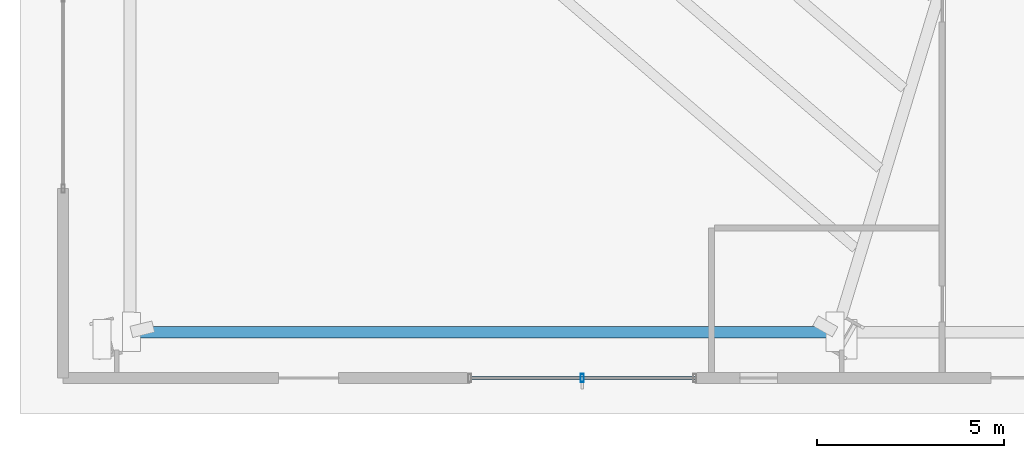
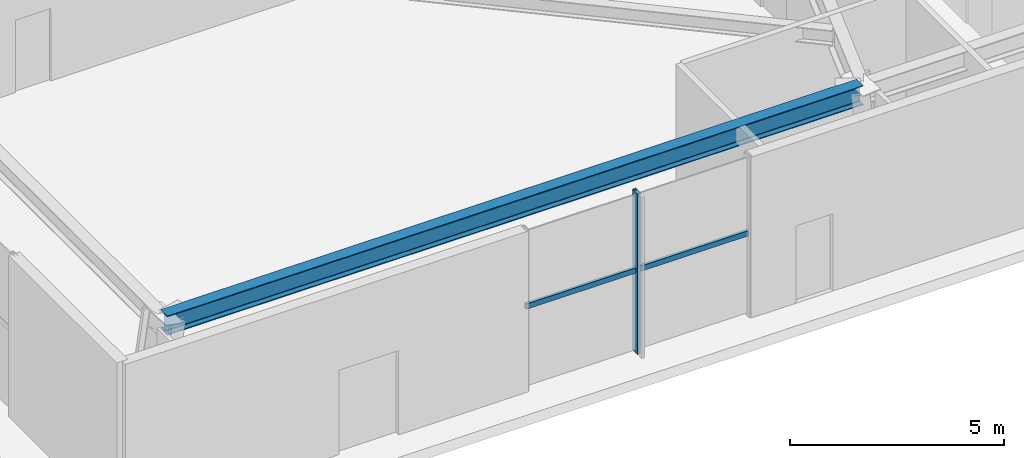
# One storey, part 3 of 31: 3 members, 1 beam, 1 element without a shape of its own.
"""IFC4 building model written with IfcOpenShell, lengths in metres."""

from ifc_helpers import new_model, si_unit, direction, frame, origin, origin_2d, place, context, subcontext, project, spatial, hollow_rectangle, i_section, extrude, source, transform, mapped, material, material_profile, profile_set, type_object, type_shapes, element, aggregate, save


model = new_model("IFC4")

# Units and contexts
model_context = context("Model", 3, precision=1e-05, world=origin(), true_north=direction((0.0, 1.0)))
body_context = subcontext(model_context, "Body", "Model", "MODEL_VIEW")
ifc_project = project(units=[si_unit("LENGTHUNIT", "METRE"), si_unit("AREAUNIT", "SQUARE_METRE"), si_unit("VOLUMEUNIT", "CUBIC_METRE"), si_unit("PLANEANGLEUNIT", "RADIAN"), si_unit("MASSUNIT", "GRAM", prefix="KILO")], contexts=[model_context])

# Site, building, storey
site_placement = place(None, origin())
site = spatial("IfcSite", under=ifc_project, at=site_placement, CompositionType="ELEMENT")
building_placement = place(site_placement, origin())
building = spatial("IfcBuilding", under=site, at=building_placement, Name="Astriad Promenade Condominiums", CompositionType="ELEMENT")
storey_placement = place(building_placement, origin())
storey = spatial("IfcBuildingStorey", under=building, at=storey_placement, Name="L00", CompositionType="ELEMENT", Elevation=0.0)

# Beam
ifc_material_1 = material(Name="Steel ASTM A992 Grade 50", Category="steel")
ifc_material_profile_1 = material_profile(ifc_material_1, i_section(OverallWidth=0.3134765625, OverallDepth=0.54638671875, WebThickness=0.013916015625, FlangeThickness=0.022216796875, FilletRadius=0.0166015625, at=origin_2d()), Name="W21X111")
ifc_profile_set_1 = profile_set([ifc_material_profile_1], Name="Steel ASTM A992 Grade 50")
beam_type = type_object("IfcBeamType", Name="STEEL SPANDREL BEAM W21X111", PredefinedType="SPANDREL", material=ifc_profile_set_1)
shared_shape_1 = source(origin(), body_context, "Body", "SweptSolid", [
    extrude(i_section(OverallWidth=0.3134765625, OverallDepth=0.54638671875, WebThickness=0.013916015625, FlangeThickness=0.022216796875, FilletRadius=0.0166015625, at=origin_2d()), origin(), (0.0, 0.0, 1.0), 18.74853515625),
])
type_shapes(beam_type, [shared_shape_1])
beam_placement = place(storey_placement, frame((2.972412109375, 2.168212890625, 4.306884765625), z_axis=(0.999999999915, -1.3021851e-05, 0.0), x_axis=(1.3021851e-05, 0.999999999915, 0.0)))
element("IfcBeam", 1, at=beam_placement, inside=storey, type_object=beam_type, Name="Perimeter Spandrel Beam SP-S1-L00", PredefinedType="SPANDREL", context=body_context, shape_type="MappedRepresentation", body=[
    mapped(shared_shape_1, transform((0.0, 0.0, 0.0), scale=1.0)),
])

# Curtain wall, members
ifc_material_2 = material(Name="Anodised aluminium Black Dark Glass Unitised", Category="aluminium")
curtain_wall_type = type_object("IfcCurtainWallType", Name="CW-POD-DARK", PredefinedType="USERDEFINED", material=ifc_material_2)
curtain_wall_placement = place(storey_placement, origin())
curtain_wall = element("IfcCurtainWall", 2, at=curtain_wall_placement, inside=storey, type_object=curtain_wall_type, Name="CW-L00-SW", ObjectType="UNITISED_CURTAIN_WALL", PredefinedType="USERDEFINED")
ifc_material_3 = material(Name="Anodised aluminium 6063-T6 Black", Category="aluminium")
ifc_material_profile_2 = material_profile(ifc_material_3, hollow_rectangle(XDim=0.0849609375, YDim=0.219970703125, WallThickness=0.0048828125, at=origin_2d()), Name="ALU-MUL-85X220")
ifc_profile_set_2 = profile_set([ifc_material_profile_2], Name="Anodised aluminium 6063-T6 Black")
member_type_1 = type_object("IfcMemberType", Name="MUL-ALU-MUL-85X220", PredefinedType="MULLION", material=ifc_profile_set_2)
shared_shape_2 = source(origin(), body_context, "Body", "SweptSolid", [
    extrude(hollow_rectangle(XDim=0.0849609375, YDim=0.219970703125, WallThickness=0.0048828125, at=origin_2d()), origin(), (0.0, 0.0, 1.0), 4.580078125),
])
type_shapes(member_type_1, [shared_shape_2])
member_1_placement = place(storey_placement, frame((15.0, 0.949951171875, 0.0), z_axis=(0.0, 0.0, 1.0), x_axis=(1.0, 0.0, 0.0)))
member_1 = element("IfcMember", 3, at=member_1_placement, type_object=member_type_1, Name="CW-L00-SW-MUL-01", PredefinedType="MULLION", context=body_context, shape_type="MappedRepresentation", body=[
    mapped(shared_shape_2, transform((0.0, 0.0, 0.0), scale=1.0)),
])
ifc_material_profile_3 = material_profile(ifc_material_3, hollow_rectangle(XDim=0.074951171875, YDim=0.14990234375, WallThickness=0.004150390625, at=origin_2d()), Name="ALU-TRN-75X150")
ifc_profile_set_3 = profile_set([ifc_material_profile_3], Name="Anodised aluminium 6063-T6 Black")
member_type_2 = type_object("IfcMemberType", Name="TRN-ALU-TRN-75X150", PredefinedType="USERDEFINED", material=ifc_profile_set_3)
shared_shape_3 = source(origin(), body_context, "Body", "SweptSolid", [
    extrude(hollow_rectangle(XDim=0.074951171875, YDim=0.14990234375, WallThickness=0.004150390625, at=origin_2d()), origin(), (0.0, 0.0, 1.0), 3.0),
])
type_shapes(member_type_2, [shared_shape_3])
member_2_placement = place(storey_placement, frame((18.0, 0.949951171875, 2.35009765625), z_axis=(-1.0, 0.0, 0.0), x_axis=(0.0, -1.0, 0.0)))
member_2 = element("IfcMember", 4, at=member_2_placement, type_object=member_type_2, Name="CW-L00-SW-TRN-00-0", ObjectType="TRANSOM", PredefinedType="USERDEFINED", context=body_context, shape_type="MappedRepresentation", body=[
    mapped(shared_shape_3, transform((0.0, 0.0, 0.0), scale=1.0)),
])
member_3_placement = place(storey_placement, frame((15.0, 0.949951171875, 2.35009765625), z_axis=(-1.0, 0.0, 0.0), x_axis=(0.0, -1.0, 0.0)))
member_3 = element("IfcMember", 5, at=member_3_placement, type_object=member_type_2, Name="CW-L00-SW-TRN-01-0", ObjectType="TRANSOM", PredefinedType="USERDEFINED", context=body_context, shape_type="MappedRepresentation", body=[
    mapped(shared_shape_3, transform((0.0, 0.0, 0.0), scale=1.0)),
])
aggregate(curtain_wall, [member_1, member_2, member_3])

save(model, "model.ifc")
